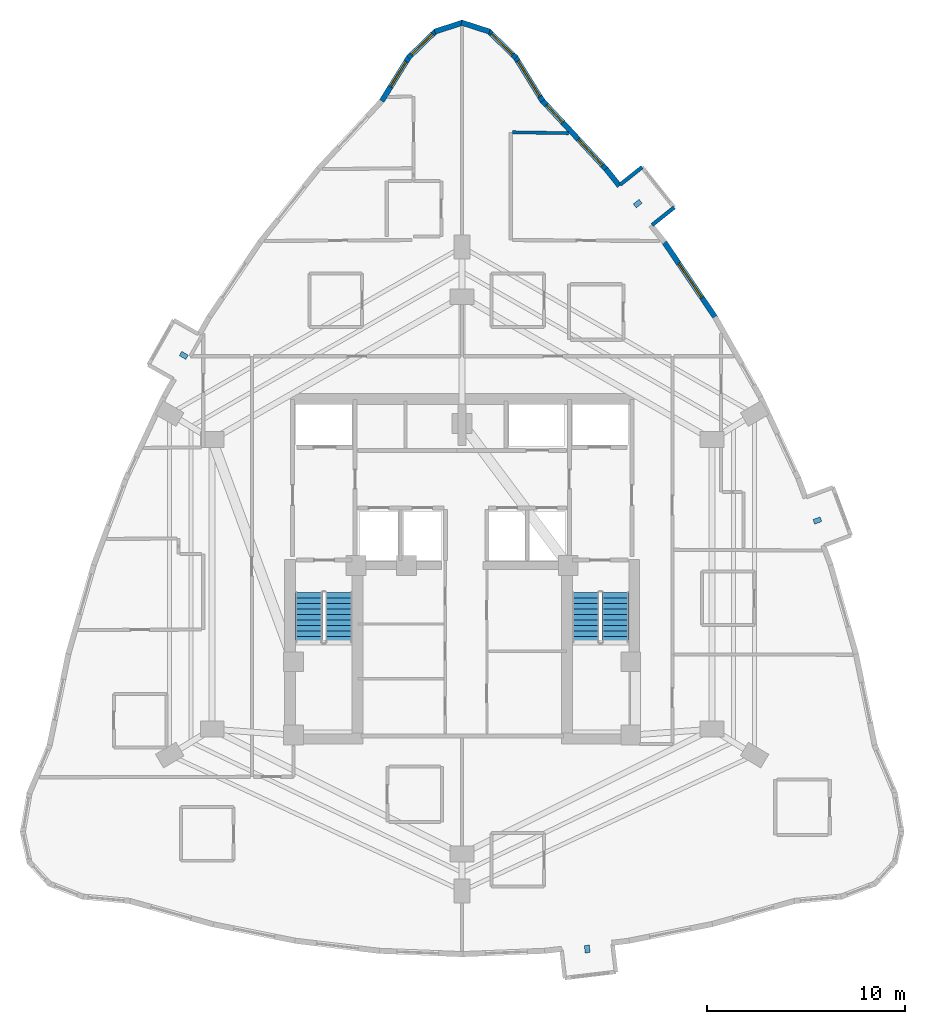
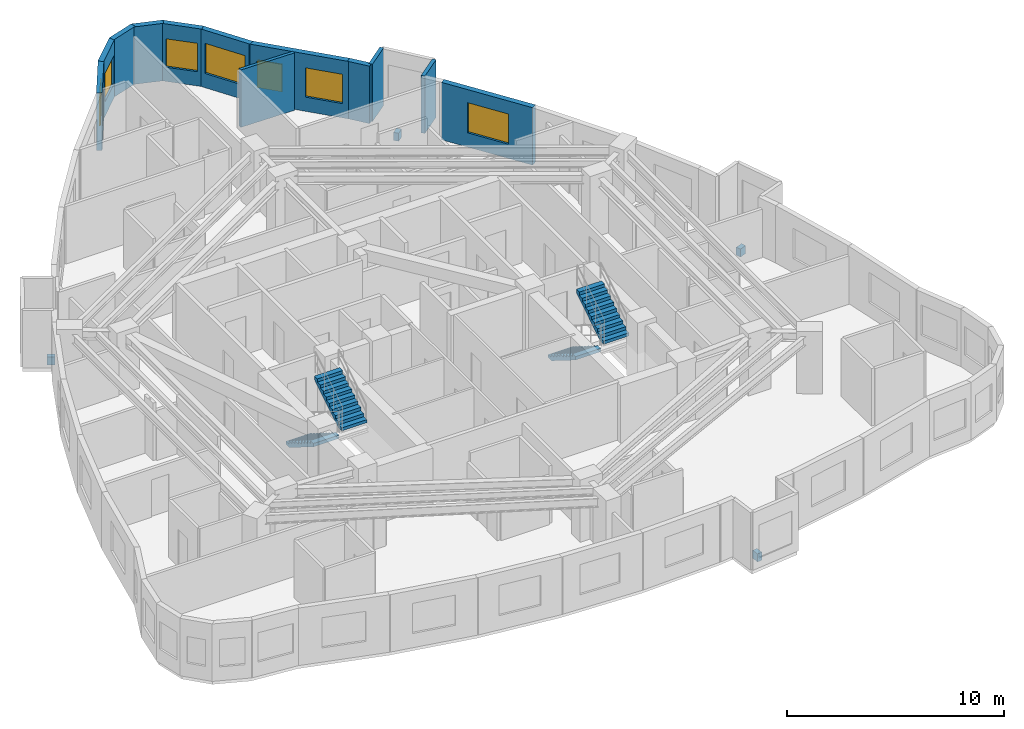
# One storey, part 11 of 12: 12 walls, 7 windows, 4 discrete accessories, 4 stair flights, 7 openings, 2 elements without a shape of their own.
"""IFC4 building model written with IfcOpenShell, lengths in metres."""

from ifc_helpers import new_model, si_unit, direction, frame, frame_2d, origin, origin_2d, place, context, subcontext, project, spatial, polyline, rectangle, outline, extrude, material, layer, layer_set, type_object, element, fill, aggregate, save


model = new_model("IFC4")

# Units and contexts
model_context = context("Model", 3, precision=1e-05, world=origin(), true_north=direction((0.0, 1.0)))
body_context = subcontext(model_context, "Body", "Model", "MODEL_VIEW")
ifc_project = project(units=[si_unit("LENGTHUNIT", "METRE"), si_unit("AREAUNIT", "SQUARE_METRE"), si_unit("VOLUMEUNIT", "CUBIC_METRE"), si_unit("PLANEANGLEUNIT", "RADIAN"), si_unit("MASSUNIT", "GRAM", prefix="KILO")], contexts=[model_context])

# Site, building, storey
site_placement = place(None, origin())
site = spatial("IfcSite", under=ifc_project, at=site_placement, CompositionType="ELEMENT")
building_placement = place(site_placement, origin())
building = spatial("IfcBuilding", under=site, at=building_placement, Name="Miruveldt Soraemaru", CompositionType="ELEMENT")
storey_placement = place(building_placement, frame((0.0, 0.0, 107.39990234375)))
storey = spatial("IfcBuildingStorey", under=building, at=storey_placement, Name="L29", CompositionType="ELEMENT", Elevation=107.39990234375)

# Walls
ifc_material_1 = material(Name="White powder-coated aluminium EN AW-6060 T6", Category="aluminium")
ifc_layer_1 = layer(ifc_material_1, 0.18994140625, Name="White powder-coated aluminium EN AW-6060 T6", Category="aluminium")
ifc_layer_set_1 = layer_set([ifc_layer_1], Name="White powder-coated aluminium EN AW-6060 T6")
wall_type_1 = type_object("IfcWallType", Name="WALL-BAY-ALU190", PredefinedType="SOLIDWALL", material=ifc_layer_set_1)
for number, where, z_axis, x_axis, name in (
    (1, (53.57666015625, 61.210693359375, 0.0), (0.0, 0.0, 1.0), (0.781737193764, 0.623608017817, 0.0), "L29 Bay Window Side Cheek 3L"),
    (2, (53.0693359375, 64.1318359375, 0.0), (0.0, 0.0, 1.0), (-0.781737193764, -0.623608017817, 0.0), "L29 Bay Window Side Cheek 3R"),
):
    element("IfcWall", number, at=place(storey_placement, frame(where, z_axis=z_axis, x_axis=x_axis)), inside=storey, type_object=wall_type_1, Name=name, PredefinedType="SOLIDWALL", context=body_context, shape_type="SweptSolid", body=[
        extrude(rectangle(XDim=1.425048828125, YDim=0.18994140625, at=frame_2d((0.71240234375, 0.0))), origin(), (0.0, 0.0, 1.0), 3.235107421875),
    ])

# Wall, opening, window
ifc_material_2 = material(Name="Precast concrete C45/55 (45 MPa)", Category="concrete")
ifc_layer_2 = layer(ifc_material_2, 0.27001953125, Name="Precast concrete C45/55 (45 MPa)", Category="concrete")
ifc_layer_set_2 = layer_set([ifc_layer_2], Name="Precast concrete C45/55 (45 MPa)")
wall_type_2 = type_object("IfcWallType", Name="WALL-EXT-PC270", PredefinedType="SOLIDWALL", material=ifc_layer_set_2)
wall_1_placement = place(storey_placement, frame((48.0517578125, 67.4658203125, 0.0), z_axis=(0.0, 0.0, 1.0), x_axis=(-0.525989656502, 0.850490964827, 0.0)))
wall_1 = element("IfcWall", 3, at=wall_1_placement, inside=storey, type_object=wall_type_2, Name="L29 Precast Concrete Facade Wall 1", PredefinedType="SOLIDWALL", context=body_context, shape_type="SweptSolid", body=[
    extrude(rectangle(XDim=2.625732421875, YDim=0.27001953125, at=frame_2d((1.31298828125, 0.0))), origin(), (0.0, 0.0, 1.0), 3.235107421875),
])
opening_1_placement = place(wall_1_placement, frame((0.262939453125, 0.0, 0.800048828125)))
opening_1 = element("IfcOpeningElement", 4, at=opening_1_placement, cuts=wall_1, Name="Opening WN-1", PredefinedType="OPENING", context=body_context, shape_type="SweptSolid", body=[
    extrude(rectangle(XDim=2.10009765625, YDim=1.699951171875, at=frame_2d((1.050048828125, 0.85009765625))), frame((0.0, 0.14501953125, 0.0), z_axis=(0.0, -1.0, 0.0), x_axis=(1.0, 0.0, 0.0)), (0.0, 0.0, 1.0), 0.2900390625),
])
ifc_material_3 = material(Name="Triple low-e insulated glazing", Category="glass")
window_type_1 = type_object("IfcWindowType", Name="WIN-PUNCH-2100x1700", PartitioningType="SINGLE_PANEL", PredefinedType="WINDOW", material=ifc_material_3)
window_1_placement = place(opening_1_placement, origin())
window_1 = element("IfcWindow", 5, at=window_1_placement, inside=storey, type_object=window_type_1, Name="L29 Punched Triple-Glazed Window 01.1", OverallHeight=1.699951171875, OverallWidth=2.10009765625, PartitioningType="SINGLE_PANEL", PredefinedType="WINDOW", context=body_context, shape_type="SweptSolid", body=[
    extrude(rectangle(XDim=2.10009765625, YDim=1.699951171875, at=frame_2d((1.050048828125, 0.85009765625))), frame((0.0, 0.030029296875, 0.0), z_axis=(0.0, -1.0, 0.0), x_axis=(1.0, 0.0, 0.0)), (0.0, 0.0, 1.0), 0.06005859375),
])
fill(opening_1, window_1)

wall_2_placement = place(storey_placement, frame((46.714111328125, 69.644775390625, 0.0), z_axis=(0.0, 0.0, 1.0), x_axis=(-0.717829983795, 0.696218438685, 0.0)))
wall_2 = element("IfcWall", 6, at=wall_2_placement, inside=storey, type_object=wall_type_2, Name="L29 Precast Concrete Facade Wall 2", PredefinedType="SOLIDWALL", context=body_context, shape_type="SweptSolid", body=[
    extrude(rectangle(XDim=1.943115234375, YDim=0.27001953125, at=frame_2d((0.9716796875, 0.0))), origin(), (0.0, 0.0, 1.0), 3.235107421875),
])
opening_2_placement = place(wall_2_placement, frame((0.220947265625, 0.0, 0.800048828125)))
opening_2 = element("IfcOpeningElement", 7, at=opening_2_placement, cuts=wall_2, Name="Opening WN-3", PredefinedType="OPENING", context=body_context, shape_type="SweptSolid", body=[
    extrude(rectangle(XDim=1.5, YDim=1.60009765625, at=frame_2d((0.75, 0.800048828125))), frame((0.0, 0.14501953125, 0.0), z_axis=(0.0, -1.0, 0.0), x_axis=(1.0, 0.0, 0.0)), (0.0, 0.0, 1.0), 0.2900390625),
])
window_type_2 = type_object("IfcWindowType", Name="WIN-PUNCH-1500x1600", PartitioningType="SINGLE_PANEL", PredefinedType="WINDOW", material=ifc_material_3)
window_2_placement = place(opening_2_placement, origin())
window_2 = element("IfcWindow", 8, at=window_2_placement, inside=storey, type_object=window_type_2, Name="L29 Punched Triple-Glazed Window 02.1", OverallHeight=1.60009765625, OverallWidth=1.5, PartitioningType="SINGLE_PANEL", PredefinedType="WINDOW", context=body_context, shape_type="SweptSolid", body=[
    extrude(rectangle(XDim=1.5, YDim=1.60009765625, at=frame_2d((0.75, 0.800048828125))), frame((0.0, 0.030029296875, 0.0), z_axis=(0.0, -1.0, 0.0), x_axis=(1.0, 0.0, 0.0)), (0.0, 0.0, 1.0), 0.06005859375),
])
fill(opening_2, window_2)

# Walls
for number, where, z_axis, x_axis, name in (
    (9, (45.377685546875, 70.96240234375, 0.0), (0.0, 0.0, 1.0), (-0.951477132561, 0.307719460245, 0.0), "L29 Precast Concrete Facade Wall 3"),
    (10, (44.033203125, 71.418701171875, 0.0), (0.0, 0.0, 1.0), (-0.951477132561, -0.307719460245, 0.0), "L29 Precast Concrete Facade Wall 4"),
):
    element("IfcWall", number, at=place(storey_placement, frame(where, z_axis=z_axis, x_axis=x_axis)), inside=storey, type_object=wall_type_2, Name=name, PredefinedType="SOLIDWALL", context=body_context, shape_type="SweptSolid", body=[
        extrude(rectangle(XDim=1.48291015625, YDim=0.27001953125, at=frame_2d((0.741455078125, 0.0))), origin(), (0.0, 0.0, 1.0), 3.235107421875),
    ])

# Wall, opening, window
wall_3_placement = place(storey_placement, frame((42.6806640625, 70.99755859375, 0.0), z_axis=(0.0, 0.0, 1.0), x_axis=(-0.717829983795, -0.696218438685, 0.0)))
wall_3 = element("IfcWall", 11, at=wall_3_placement, inside=storey, type_object=wall_type_2, Name="L29 Precast Concrete Facade Wall 5", PredefinedType="SOLIDWALL", context=body_context, shape_type="SweptSolid", body=[
    extrude(rectangle(XDim=1.943115234375, YDim=0.27001953125, at=frame_2d((0.9716796875, 0.0))), origin(), (0.0, 0.0, 1.0), 3.235107421875),
])
opening_3_placement = place(wall_3_placement, frame((0.220947265625, 0.0, 0.800048828125)))
opening_3 = element("IfcOpeningElement", 12, at=opening_3_placement, cuts=wall_3, Name="Opening WN-3", PredefinedType="OPENING", context=body_context, shape_type="SweptSolid", body=[
    extrude(rectangle(XDim=1.5, YDim=1.60009765625, at=frame_2d((0.75, 0.800048828125))), frame((0.0, 0.14501953125, 0.0), z_axis=(0.0, -1.0, 0.0), x_axis=(1.0, 0.0, 0.0)), (0.0, 0.0, 1.0), 0.2900390625),
])
window_3_placement = place(opening_3_placement, origin())
window_3 = element("IfcWindow", 13, at=window_3_placement, inside=storey, type_object=window_type_2, Name="L29 Punched Triple-Glazed Window 05.1", OverallHeight=1.60009765625, OverallWidth=1.5, PartitioningType="SINGLE_PANEL", PredefinedType="WINDOW", context=body_context, shape_type="SweptSolid", body=[
    extrude(rectangle(XDim=1.5, YDim=1.60009765625, at=frame_2d((0.75, 0.800048828125))), frame((0.0, 0.030029296875, 0.0), z_axis=(0.0, -1.0, 0.0), x_axis=(1.0, 0.0, 0.0)), (0.0, 0.0, 1.0), 0.06005859375),
])
fill(opening_3, window_3)

wall_4_placement = place(storey_placement, frame((41.329345703125, 69.698974609375, 0.0), z_axis=(0.0, 0.0, 1.0), x_axis=(-0.525989656502, -0.850490964827, 0.0)))
wall_4 = element("IfcWall", 14, at=wall_4_placement, inside=storey, type_object=wall_type_2, Name="L29 Precast Concrete Facade Wall 6", PredefinedType="SOLIDWALL", context=body_context, shape_type="SweptSolid", body=[
    extrude(rectangle(XDim=2.625732421875, YDim=0.27001953125, at=frame_2d((1.31298828125, 0.0))), origin(), (0.0, 0.0, 1.0), 3.235107421875),
])
opening_4_placement = place(wall_4_placement, frame((0.280029296875, 0.0, 0.800048828125)))
opening_4 = element("IfcOpeningElement", 15, at=opening_4_placement, cuts=wall_4, Name="Opening WN-3", PredefinedType="OPENING", context=body_context, shape_type="SweptSolid", body=[
    extrude(rectangle(XDim=1.5, YDim=1.60009765625, at=frame_2d((0.75, 0.800048828125))), frame((0.0, 0.14501953125, 0.0), z_axis=(0.0, -1.0, 0.0), x_axis=(1.0, 0.0, 0.0)), (0.0, 0.0, 1.0), 0.2900390625),
])
window_4_placement = place(opening_4_placement, origin())
window_4 = element("IfcWindow", 16, at=window_4_placement, inside=storey, type_object=window_type_2, Name="L29 Punched Triple-Glazed Window 06.1", OverallHeight=1.60009765625, OverallWidth=1.5, PartitioningType="SINGLE_PANEL", PredefinedType="WINDOW", context=body_context, shape_type="SweptSolid", body=[
    extrude(rectangle(XDim=1.5, YDim=1.60009765625, at=frame_2d((0.75, 0.800048828125))), frame((0.0, 0.030029296875, 0.0), z_axis=(0.0, -1.0, 0.0), x_axis=(1.0, 0.0, 0.0)), (0.0, 0.0, 1.0), 0.06005859375),
])
fill(opening_4, window_4)

wall_5_placement = place(storey_placement, frame((56.781494140625, 56.525146484375, 0.0), z_axis=(0.0, 0.0, 1.0), x_axis=(-0.560815831127, 0.827940579726, 0.0)))
wall_5 = element("IfcWall", 17, at=wall_5_placement, inside=storey, type_object=wall_type_2, Name="L29 Precast Concrete Facade Wall 40", PredefinedType="SOLIDWALL", context=body_context, shape_type="SweptSolid", body=[
    extrude(rectangle(XDim=4.677734375, YDim=0.27001953125, at=frame_2d((2.3388671875, 0.0))), origin(), (0.0, 0.0, 1.0), 3.235107421875),
])
opening_5_placement = place(wall_5_placement, frame((1.23095703125, 0.0, 0.800048828125)))
opening_5 = element("IfcOpeningElement", 18, at=opening_5_placement, cuts=wall_5, Name="Opening WN-1", PredefinedType="OPENING", context=body_context, shape_type="SweptSolid", body=[
    extrude(rectangle(XDim=2.10009765625, YDim=1.699951171875, at=frame_2d((1.050048828125, 0.85009765625))), frame((0.0, 0.14501953125, 0.0), z_axis=(0.0, -1.0, 0.0), x_axis=(1.0, 0.0, 0.0)), (0.0, 0.0, 1.0), 0.2900390625),
])
window_5_placement = place(opening_5_placement, origin())
window_5 = element("IfcWindow", 19, at=window_5_placement, inside=storey, type_object=window_type_1, Name="L29 Punched Triple-Glazed Window 40.1", OverallHeight=1.699951171875, OverallWidth=2.10009765625, PartitioningType="SINGLE_PANEL", PredefinedType="WINDOW", context=body_context, shape_type="SweptSolid", body=[
    extrude(rectangle(XDim=2.10009765625, YDim=1.699951171875, at=frame_2d((1.050048828125, 0.85009765625))), frame((0.0, 0.030029296875, 0.0), z_axis=(0.0, -1.0, 0.0), x_axis=(1.0, 0.0, 0.0)), (0.0, 0.0, 1.0), 0.06005859375),
])
fill(opening_5, window_5)

# Wall
wall_6_placement = place(storey_placement, frame((51.930908203125, 63.185302734375, 0.0), z_axis=(0.0, 0.0, 1.0), x_axis=(-0.623501159963, 0.781822424547, 0.0)))
element("IfcWall", 20, at=wall_6_placement, inside=storey, type_object=wall_type_2, Name="L29 Precast Pier Wall 41B", PredefinedType="SOLIDWALL", context=body_context, shape_type="SweptSolid", body=[
    extrude(rectangle(XDim=1.097900390625, YDim=0.27001953125, at=frame_2d((0.548828125, 0.0))), origin(), (0.0, 0.0, 1.0), 3.235107421875),
])

# Wall, openings, windows
wall_7_placement = place(storey_placement, frame((51.2919921875, 63.990478515625, 0.0), z_axis=(0.0, 0.0, 1.0), x_axis=(-0.680886087192, 0.732389333803, 0.0)))
wall_7 = element("IfcWall", 21, at=wall_7_placement, inside=storey, type_object=wall_type_2, Name="L29 Precast Concrete Facade Wall 42", PredefinedType="SOLIDWALL", context=body_context, shape_type="SweptSolid", body=[
    extrude(rectangle(XDim=4.82080078125, YDim=0.27001953125, at=frame_2d((2.410400390625, 0.0))), origin(), (0.0, 0.0, 1.0), 3.235107421875),
])
opening_6_placement = place(wall_7_placement, frame((0.31298828125, 0.0, 0.800048828125)))
opening_6 = element("IfcOpeningElement", 22, at=opening_6_placement, cuts=wall_7, Name="Opening WN-2", PredefinedType="OPENING", context=body_context, shape_type="SweptSolid", body=[
    extrude(rectangle(XDim=1.800048828125, YDim=1.64990234375, at=frame_2d((0.89990234375, 0.824951171875))), frame((0.0, 0.14501953125, 0.0), z_axis=(0.0, -1.0, 0.0), x_axis=(1.0, 0.0, 0.0)), (0.0, 0.0, 1.0), 0.2900390625),
])
opening_7_placement = place(wall_7_placement, frame((3.263916015625, 0.0, 0.780029296875)))
opening_7 = element("IfcOpeningElement", 23, at=opening_7_placement, cuts=wall_7, Name="Opening WN-4", PredefinedType="OPENING", context=body_context, shape_type="SweptSolid", body=[
    extrude(rectangle(XDim=1.199951171875, YDim=1.550048828125, at=frame_2d((0.60009765625, 0.77490234375))), frame((0.0, 0.14501953125, 0.0), z_axis=(0.0, -1.0, 0.0), x_axis=(1.0, 0.0, 0.0)), (0.0, 0.0, 1.0), 0.2900390625),
])
window_type_3 = type_object("IfcWindowType", Name="WIN-PUNCH-1200x1550", PartitioningType="SINGLE_PANEL", PredefinedType="WINDOW", material=ifc_material_3)
window_6_placement = place(opening_7_placement, origin())
window_6 = element("IfcWindow", 24, at=window_6_placement, inside=storey, type_object=window_type_3, Name="L29 Punched Triple-Glazed Window 42.2", OverallHeight=1.550048828125, OverallWidth=1.199951171875, PartitioningType="SINGLE_PANEL", PredefinedType="WINDOW", context=body_context, shape_type="SweptSolid", body=[
    extrude(rectangle(XDim=1.199951171875, YDim=1.550048828125, at=frame_2d((0.60009765625, 0.77490234375))), frame((0.0, 0.030029296875, 0.0), z_axis=(0.0, -1.0, 0.0), x_axis=(1.0, 0.0, 0.0)), (0.0, 0.0, 1.0), 0.06005859375),
])
fill(opening_7, window_6)
window_type_4 = type_object("IfcWindowType", Name="WIN-PUNCH-1800x1650", PartitioningType="SINGLE_PANEL", PredefinedType="WINDOW", material=ifc_material_3)
window_7_placement = place(opening_6_placement, origin())
window_7 = element("IfcWindow", 25, at=window_7_placement, inside=storey, type_object=window_type_4, Name="L29 Punched Triple-Glazed Window 42.1", OverallHeight=1.64990234375, OverallWidth=1.800048828125, PartitioningType="SINGLE_PANEL", PredefinedType="WINDOW", context=body_context, shape_type="SweptSolid", body=[
    extrude(rectangle(XDim=1.800048828125, YDim=1.64990234375, at=frame_2d((0.89990234375, 0.824951171875))), frame((0.0, 0.030029296875, 0.0), z_axis=(0.0, -1.0, 0.0), x_axis=(1.0, 0.0, 0.0)), (0.0, 0.0, 1.0), 0.06005859375),
])
fill(opening_6, window_7)

# Wall
ifc_material_4 = material(Name="Concrete C40/50 (40 MPa)", Category="concrete")
ifc_layer_3 = layer(ifc_material_4, 0.159912109375, Name="Concrete C40/50 (40 MPa)", Category="concrete")
ifc_layer_set_3 = layer_set([ifc_layer_3], Name="Concrete C40/50 (40 MPa)")
wall_type_3 = type_object("IfcWallType", Name="WALL-INT-RC160", PredefinedType="SOLIDWALL", material=ifc_layer_set_3)
wall_8_placement = place(storey_placement, frame((46.530029296875, 65.887939453125, 0.0), z_axis=(0.0, 0.0, 1.0), x_axis=(0.999863519285, -0.016520980697, 0.0)))
element("IfcWall", 26, at=wall_8_placement, inside=storey, type_object=wall_type_3, Name="L29 Partition Wall 35", PredefinedType="SOLIDWALL", context=body_context, shape_type="SweptSolid", body=[
    extrude(rectangle(XDim=2.83740234375, YDim=0.159912109375, at=frame_2d((1.418701171875, 0.0))), origin(), (0.0, 0.0, 1.0), 3.235107421875),
])

# Stair, stair flights
stair_type = type_object("IfcStairType", Name="STAIR-DL-350", PredefinedType="HALF_TURN_STAIR", material=ifc_material_4)
stair_1_placement = place(storey_placement, origin())
stair_1 = element("IfcStair", 27, at=stair_1_placement, inside=storey, type_object=stair_type, Name="L29 Protected Exit Stair ST-1", PredefinedType="HALF_TURN_STAIR")
stair_flight_type = type_object("IfcStairFlightType", Name="SFL-DL-350", PredefinedType="STRAIGHT", material=ifc_material_4)
stair_flight_1_placement = place(storey_placement, frame((36.27490234375, 42.699951171875, 0.0), z_axis=(0.0, 0.0, 1.0), x_axis=(0.0, -1.0, 0.0)))
stair_flight_1 = element("IfcStairFlight", 28, at=stair_flight_1_placement, type_object=stair_flight_type, Name="ST-1 flight 1", NumberOfRisers=10, NumberOfTreads=9, PredefinedType="STRAIGHT", RiserHeight=0.175, TreadLength=0.28, context=body_context, shape_type="SweptSolid", body=[
    extrude(outline(polyline([(0.0, 0.0), (0.0, 0.175048828125), (0.280029296875, 0.175048828125), (0.280029296875, 0.35009765625), (0.56005859375, 0.35009765625), (0.56005859375, 0.52490234375), (0.840087890625, 0.52490234375), (0.840087890625, 0.699951171875), (1.1201171875, 0.699951171875), (1.1201171875, 0.875), (1.39990234375, 0.875), (1.39990234375, 1.050048828125), (1.679931640625, 1.050048828125), (1.679931640625, 1.22509765625), (1.9599609375, 1.22509765625), (1.9599609375, 1.39990234375), (2.239990234375, 1.39990234375), (2.239990234375, 1.574951171875), (2.52001953125, 1.574951171875), (2.52001953125, 1.75), (2.52001953125, 1.386474609375), (0.3017578125, 0.0), (0.0, 0.0)])), frame((0.0, 0.675048828125, 0.0), z_axis=(0.0, -1.0, 0.0), x_axis=(1.0, 0.0, 0.0)), (0.0, 0.0, 1.0), 1.35009765625),
])
stair_flight_2_placement = place(storey_placement, frame((37.77490234375, 40.179931640625, 1.75), z_axis=(0.0, 0.0, 1.0), x_axis=(0.0, 1.0, 0.0)))
stair_flight_2 = element("IfcStairFlight", 29, at=stair_flight_2_placement, type_object=stair_flight_type, Name="ST-1 flight 2", NumberOfRisers=10, NumberOfTreads=9, PredefinedType="STRAIGHT", RiserHeight=0.175, TreadLength=0.28, context=body_context, shape_type="SweptSolid", body=[
    extrude(outline(polyline([(0.0, 0.0), (0.0, 0.175048828125), (0.280029296875, 0.175048828125), (0.280029296875, 0.35009765625), (0.56005859375, 0.35009765625), (0.56005859375, 0.52490234375), (0.840087890625, 0.52490234375), (0.840087890625, 0.699951171875), (1.1201171875, 0.699951171875), (1.1201171875, 0.875), (1.39990234375, 0.875), (1.39990234375, 1.050048828125), (1.679931640625, 1.050048828125), (1.679931640625, 1.22509765625), (1.9599609375, 1.22509765625), (1.9599609375, 1.39990234375), (2.239990234375, 1.39990234375), (2.239990234375, 1.574951171875), (2.52001953125, 1.574951171875), (2.52001953125, 1.75), (2.52001953125, 1.386474609375), (0.3017578125, 0.0), (0.0, 0.0)])), frame((0.0, 0.675048828125, 0.0), z_axis=(0.0, -1.0, 0.0), x_axis=(1.0, 0.0, 0.0)), (0.0, 0.0, 1.0), 1.35009765625),
])
aggregate(stair_1, [stair_flight_1, stair_flight_2])

stair_2_placement = place(storey_placement, origin())
stair_2 = element("IfcStair", 30, at=stair_2_placement, inside=storey, type_object=stair_type, Name="L29 Protected Exit Stair ST-2", PredefinedType="HALF_TURN_STAIR")
stair_flight_3_placement = place(storey_placement, frame((50.22509765625, 42.699951171875, 0.0), z_axis=(0.0, 0.0, 1.0), x_axis=(0.0, -1.0, 0.0)))
stair_flight_3 = element("IfcStairFlight", 31, at=stair_flight_3_placement, type_object=stair_flight_type, Name="ST-2 flight 1", NumberOfRisers=10, NumberOfTreads=9, PredefinedType="STRAIGHT", RiserHeight=0.175, TreadLength=0.28, context=body_context, shape_type="SweptSolid", body=[
    extrude(outline(polyline([(0.0, 0.0), (0.0, 0.175048828125), (0.280029296875, 0.175048828125), (0.280029296875, 0.35009765625), (0.56005859375, 0.35009765625), (0.56005859375, 0.52490234375), (0.840087890625, 0.52490234375), (0.840087890625, 0.699951171875), (1.1201171875, 0.699951171875), (1.1201171875, 0.875), (1.39990234375, 0.875), (1.39990234375, 1.050048828125), (1.679931640625, 1.050048828125), (1.679931640625, 1.22509765625), (1.9599609375, 1.22509765625), (1.9599609375, 1.39990234375), (2.239990234375, 1.39990234375), (2.239990234375, 1.574951171875), (2.52001953125, 1.574951171875), (2.52001953125, 1.75), (2.52001953125, 1.386474609375), (0.3017578125, 0.0), (0.0, 0.0)])), frame((0.0, 0.675048828125, 0.0), z_axis=(0.0, -1.0, 0.0), x_axis=(1.0, 0.0, 0.0)), (0.0, 0.0, 1.0), 1.35009765625),
])
stair_flight_4_placement = place(storey_placement, frame((51.72509765625, 40.179931640625, 1.75), z_axis=(0.0, 0.0, 1.0), x_axis=(0.0, 1.0, 0.0)))
stair_flight_4 = element("IfcStairFlight", 32, at=stair_flight_4_placement, type_object=stair_flight_type, Name="ST-2 flight 2", NumberOfRisers=10, NumberOfTreads=9, PredefinedType="STRAIGHT", RiserHeight=0.175, TreadLength=0.28, context=body_context, shape_type="SweptSolid", body=[
    extrude(outline(polyline([(0.0, 0.0), (0.0, 0.175048828125), (0.280029296875, 0.175048828125), (0.280029296875, 0.35009765625), (0.56005859375, 0.35009765625), (0.56005859375, 0.52490234375), (0.840087890625, 0.52490234375), (0.840087890625, 0.699951171875), (1.1201171875, 0.699951171875), (1.1201171875, 0.875), (1.39990234375, 0.875), (1.39990234375, 1.050048828125), (1.679931640625, 1.050048828125), (1.679931640625, 1.22509765625), (1.9599609375, 1.22509765625), (1.9599609375, 1.39990234375), (2.239990234375, 1.39990234375), (2.239990234375, 1.574951171875), (2.52001953125, 1.574951171875), (2.52001953125, 1.75), (2.52001953125, 1.386474609375), (0.3017578125, 0.0), (0.0, 0.0)])), frame((0.0, 0.675048828125, 0.0), z_axis=(0.0, -1.0, 0.0), x_axis=(1.0, 0.0, 0.0)), (0.0, 0.0, 1.0), 1.35009765625),
])
aggregate(stair_2, [stair_flight_3, stair_flight_4])

# Discrete accessories
ifc_material_5 = material(Name="Steel SM355 (355 MPa)", Category="steel")
discrete_accessory_type = type_object("IfcDiscreteAccessoryType", Name="ACC-BAY-BRK", PredefinedType="BRACKET", material=ifc_material_5)
for number, where, z_axis, x_axis, name in (
    (33, (50.3076171875, 24.71728515625, -0.7099609375), (0.0, 0.0, 1.0), (0.119149147143, -0.992876367296, 0.0), "L29 Bay Window Cantilever Bracket 1"),
    (34, (61.908203125, 46.318115234375, -0.7099609375), (0.0, 0.0, 1.0), (0.93711153314, 0.349030048069, 0.0), "L29 Bay Window Cantilever Bracket 2"),
    (35, (52.847900390625, 62.29248046875, -0.7099609375), (0.0, 0.0, 1.0), (0.781727315753, 0.623620400408, 0.0), "L29 Bay Window Cantilever Bracket 3"),
    (36, (29.969482421875, 54.641845703125, -0.7099609375), (0.0, 0.0, 1.0), (-0.869839554062, 0.493334724289, 0.0), "L29 Bay Window Cantilever Bracket 4"),
):
    element("IfcDiscreteAccessory", number, at=place(storey_placement, frame(where, z_axis=z_axis, x_axis=x_axis)), inside=storey, type_object=discrete_accessory_type, Name=name, PredefinedType="BRACKET", context=body_context, shape_type="SweptSolid", body=[
        extrude(rectangle(XDim=0.3798828125, YDim=0.25, at=origin_2d()), origin(), (0.0, 0.0, 1.0), 0.449951171875),
    ])

save(model, "model.ifc")
